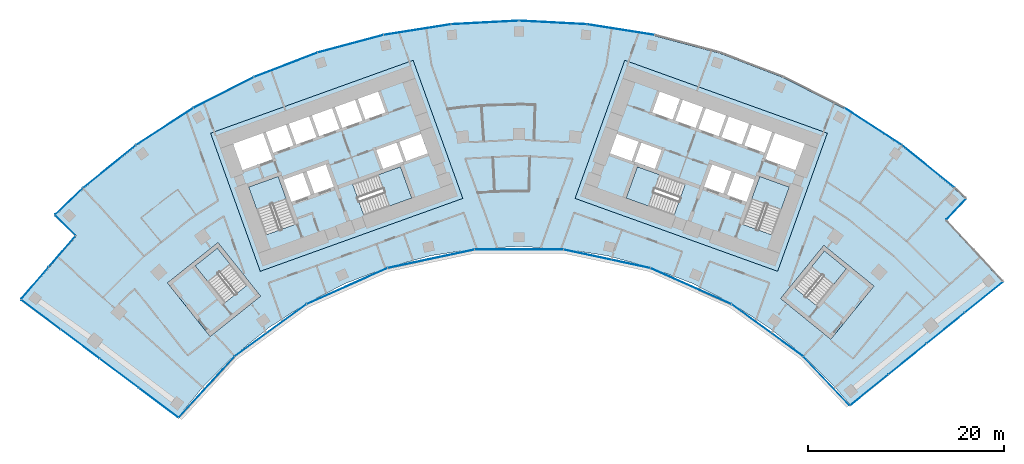
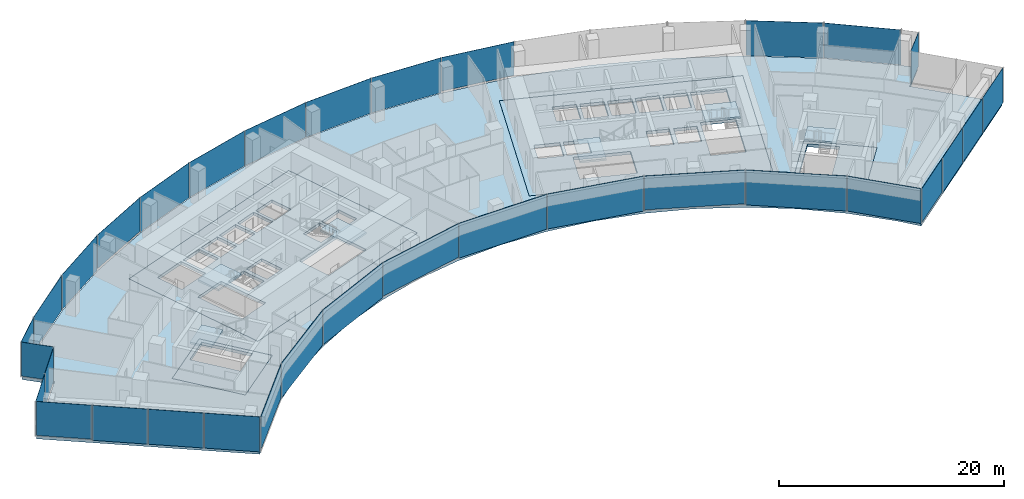
# One storey, part 11 of 21: 33 plates, 11 slabs, 13 elements without a shape of their own.
"""IFC4 building model written with IfcOpenShell, lengths in metres."""

import ifcopenshell
import ifcopenshell.guid

model = None  # the IFC model being written
_history = None  # IfcOwnerHistory: only IFC2X3 demands one
_inside = {}  # id of a spatial element -> (the spatial element, [elements in it])
_under = {}  # id of a project, library or spatial element -> (it, [spatial elements below it])
_declared = {}  # id of a project -> (the project, [libraries it declares])
_typed = {}  # id of a type object -> (the type object, [elements of that type])
_made_of = {}  # id of a material, layer set ... -> (it, [elements and type objects made of it])


def new_model(schema):
    """Start an empty IFC model of exactly this schema.

    Asked for "IFC4X3", IfcOpenShell would pick the latest addendum, in which some entities
    have other attributes; the version numbers below select the first issue.
    IFC2X3 requires an IfcOwnerHistory on every rooted entity: one is made here for all.
    """
    global model, _history
    if schema == "IFC4X3":
        model = ifcopenshell.file(schema_version=(4, 3, 0, 0))
    else:
        model = ifcopenshell.file(schema=schema)
    _inside.clear()
    _under.clear()
    _declared.clear()
    _typed.clear()
    _made_of.clear()
    _history = None
    if model.schema == "IFC2X3":
        org = make("IfcOrganization", Name="unknown")
        user = make(
            "IfcPersonAndOrganization",
            ThePerson=make("IfcPerson", FamilyName="unknown"),
            TheOrganization=org,
        )
        app = make(
            "IfcApplication",
            ApplicationDeveloper=org,
            Version="unknown",
            ApplicationFullName="unknown",
            ApplicationIdentifier="unknown",
        )
        _history = make(
            "IfcOwnerHistory",
            OwningUser=user,
            OwningApplication=app,
            ChangeAction="ADDED",
            CreationDate=0,
        )
    return model


def make(cls, **values):
    """One entity of the class cls with the attributes given. An attribute that is None is left unset."""
    return model.create_entity(
        cls, **{name: value for name, value in values.items() if value is not None}
    )


def rooted(cls, **values):
    """An entity with a GlobalId (a new one), such as an element, a storey or a relation."""
    return make(cls, GlobalId=ifcopenshell.guid.new(), OwnerHistory=_history, **values)


def si_unit(unit_type, name, prefix=None):
    """IfcSIUnit, for example si_unit("LENGTHUNIT", "METRE", prefix="MILLI")."""
    return make("IfcSIUnit", UnitType=unit_type, Prefix=prefix, Name=name)


def assignment(units):
    """IfcUnitAssignment: the units of a project."""
    return None if units is None else make("IfcUnitAssignment", Units=units)


def point(xyz):
    """IfcCartesianPoint."""
    return None if xyz is None else make("IfcCartesianPoint", Coordinates=xyz)


def direction(xyz):
    """IfcDirection."""
    return None if xyz is None else make("IfcDirection", DirectionRatios=xyz)


def frame(location, z_axis=None, x_axis=None):
    """IfcAxis2Placement3D, a coordinate frame: its origin and axes. An axis left out is left unset."""
    return make(
        "IfcAxis2Placement3D",
        Location=point(location),
        Axis=direction(z_axis),
        RefDirection=direction(x_axis),
    )


def frame_2d(location, x_axis=None):
    """IfcAxis2Placement2D, a coordinate frame in the plane: its origin and x axis."""
    return make(
        "IfcAxis2Placement2D", Location=point(location), RefDirection=direction(x_axis)
    )


def origin():
    """The frame at (0, 0, 0) with its axes left unset."""
    return frame((0.0, 0.0, 0.0))


def origin_2d():
    """The frame at (0, 0) in the plane with its x axis left unset."""
    return frame_2d((0.0, 0.0))


def place(relative_to, where):
    """IfcLocalPlacement: puts the frame where relative to a parent placement (None: the world)."""
    return make(
        "IfcLocalPlacement", PlacementRelTo=relative_to, RelativePlacement=where
    )


def context(
    kind, dimensions, precision=None, world=None, true_north=None, identifier=None
):
    """IfcGeometricRepresentationContext, for example the 3D "Model" context."""
    return make(
        "IfcGeometricRepresentationContext",
        ContextIdentifier=identifier,
        ContextType=kind,
        CoordinateSpaceDimension=dimensions,
        Precision=precision,
        WorldCoordinateSystem=world,
        TrueNorth=true_north,
    )


def subcontext(parent, identifier, kind, view, scale=None):
    """IfcGeometricRepresentationSubContext, for example "Body" below "Model"."""
    return make(
        "IfcGeometricRepresentationSubContext",
        ContextIdentifier=identifier,
        ContextType=kind,
        ParentContext=parent,
        TargetScale=scale,
        TargetView=view,
    )


def project(units=None, contexts=None):
    """IfcProject with its units and contexts."""
    return rooted(
        "IfcProject",
        Name="project",
        RepresentationContexts=contexts,
        UnitsInContext=assignment(units),
    )


def spatial(cls, under=None, at=None, **own):
    """A site, building, storey or space (cls), placed at a placement, below another one or the project."""
    s = rooted(cls, ObjectPlacement=at, **own)
    if under is not None:
        _under.setdefault(under.id(), (under, []))[1].append(s)
    return s


def polyline(points):
    """IfcPolyline through the points."""
    return make("IfcPolyline", Points=[point(p) for p in points])


def profile(cls, at=None, kind="AREA", **sizes):
    """A parametric profile (cls). Its sizes go by their IFC names, for example OverallWidth=200.0."""
    return make(cls, ProfileType=kind, Position=at, **sizes)


def rectangle(**sizes):
    """IfcRectangleProfileDef."""
    return profile("IfcRectangleProfileDef", **sizes)


def outline(outer, holes=None, kind="AREA"):
    """IfcArbitraryClosedProfileDef: a profile drawn as a closed curve; with holes, ...WithVoids."""
    if holes is None:
        return make("IfcArbitraryClosedProfileDef", ProfileType=kind, OuterCurve=outer)
    return make(
        "IfcArbitraryProfileDefWithVoids",
        ProfileType=kind,
        OuterCurve=outer,
        InnerCurves=holes,
    )


def extrude(swept, where, along, depth):
    """IfcExtrudedAreaSolid: the profile swept, set in the frame where, extruded along a direction by depth."""
    return make(
        "IfcExtrudedAreaSolid",
        SweptArea=swept,
        Position=where,
        ExtrudedDirection=direction(along),
        Depth=depth,
    )


def shape(context_of_items, identifier, shape_type, items):
    """IfcShapeRepresentation: the items that make up one representation, for example the "Body"."""
    return make(
        "IfcShapeRepresentation",
        ContextOfItems=context_of_items,
        RepresentationIdentifier=identifier,
        RepresentationType=shape_type,
        Items=items,
    )


def material(Name=None, Category=None):
    """IfcMaterial."""
    return make("IfcMaterial", Name=Name, Category=Category)


def layer(
    of_material, thickness, ventilated=None, Name=None, Category=None, Priority=None
):
    """IfcMaterialLayer: one layer of a wall or slab, of a material (None: an air gap)."""
    return make(
        "IfcMaterialLayer",
        Material=of_material,
        LayerThickness=thickness,
        IsVentilated=ventilated,
        Name=Name,
        Category=Category,
        Priority=Priority,
    )


def layer_set(layers, Name=None):
    """IfcMaterialLayerSet."""
    return make("IfcMaterialLayerSet", MaterialLayers=layers, LayerSetName=Name)


def made_of(thing, what):
    """Note that an element or type object is made of a material, layer set ...; save() writes the relation."""
    if what is not None:
        _made_of.setdefault(what.id(), (what, []))[1].append(thing)
    return thing


def type_object(cls, material=None, **own):
    """A type object (cls), such as IfcWallType, which elements share."""
    return made_of(rooted(cls, **own), material)


def element(
    cls,
    number,
    at=None,
    inside=None,
    cuts=None,
    type_object=None,
    material=None,
    context=None,
    identifier="Body",
    shape_type=None,
    held_by="IfcProductDefinitionShape",
    body=None,
    shapes=None,
    **own,
):
    """One element of the class cls, such as IfcWall. Its Tag is "e" and its number.

    at: its placement. inside: the storey or other place that contains it. cuts: it is an
    opening in that element (IfcRelVoidsElement). A single representation is given by context,
    identifier, shape_type and body (its items); several are given by shapes. held_by: the class
    of the entity that holds the representations. save() writes the other relations.
    """
    e = rooted(cls, Tag="e%d" % number, ObjectPlacement=at, **own)
    if body is not None:
        shapes = [shape(context, identifier, shape_type, body)]
    if shapes is not None:
        e.Representation = make(held_by, Representations=shapes)
    if inside is not None:
        _inside.setdefault(inside.id(), (inside, []))[1].append(e)
    if cuts is not None:
        rooted(
            "IfcRelVoidsElement", RelatingBuildingElement=cuts, RelatedOpeningElement=e
        )
    if type_object is not None:
        _typed.setdefault(type_object.id(), (type_object, []))[1].append(e)
    return made_of(e, material)


def aggregate(whole, parts):
    """IfcRelAggregates: a whole, such as a stair, and the parts it consists of."""
    return rooted("IfcRelAggregates", RelatingObject=whole, RelatedObjects=parts)


def save(model, path):
    """Write the relations noted so far, then the file.

    IfcRelAggregates (storeys below a building ...), IfcRelContainedInSpatialStructure (elements
    in a storey), IfcRelDefinesByType, IfcRelAssociatesMaterial and IfcRelDeclares: one each for
    every whole, place, type object, material and project.
    """
    for whole, parts in _under.values():
        aggregate(whole, parts)
    for where, things in _inside.values():
        rooted(
            "IfcRelContainedInSpatialStructure",
            RelatedElements=things,
            RelatingStructure=where,
        )
    for kind, things in _typed.values():
        rooted("IfcRelDefinesByType", RelatedObjects=things, RelatingType=kind)
    for what, things in _made_of.values():
        rooted("IfcRelAssociatesMaterial", RelatedObjects=things, RelatingMaterial=what)
    for by, libraries in _declared.values():
        rooted("IfcRelDeclares", RelatingContext=by, RelatedDefinitions=libraries)
    model.write(path)


model = new_model("IFC4")

# Units and contexts
model_context = context("Model", 3, precision=1e-05, world=origin(), true_north=direction((0.0, 1.0)))
body_context = subcontext(model_context, "Body", "Model", "MODEL_VIEW")
ifc_project = project(units=[si_unit("LENGTHUNIT", "METRE"), si_unit("AREAUNIT", "SQUARE_METRE"), si_unit("VOLUMEUNIT", "CUBIC_METRE"), si_unit("PLANEANGLEUNIT", "RADIAN"), si_unit("MASSUNIT", "GRAM", prefix="KILO")], contexts=[model_context])

# Site, building, storey
site_placement = place(None, origin())
site = spatial("IfcSite", under=ifc_project, at=site_placement, CompositionType="ELEMENT")
building_placement = place(site_placement, origin())
building = spatial("IfcBuilding", under=site, at=building_placement, Name="Stone Belt Terrace Tower", CompositionType="ELEMENT")
storey_placement = place(building_placement, frame((0.0, 0.0, 163.0)))
storey = spatial("IfcBuildingStorey", under=building, at=storey_placement, Name="L39", CompositionType="ELEMENT", Elevation=163.0)

# Curtain wall, plates
ifc_material_1 = material(Name="Aluminium 6063-T6 anodised frame", Category="aluminium")
ifc_layer_1 = layer(ifc_material_1, 0.14990234375)
ifc_layer_set_1 = layer_set([ifc_layer_1], Name="CW-A unitised convex-face curtain wall")
curtain_wall_type_1 = type_object("IfcCurtainWallType", Name="CW-A unitised convex-face curtain wall", PredefinedType="NOTDEFINED", material=ifc_layer_set_1)
curtain_wall_1_placement = place(storey_placement, origin())
curtain_wall_1 = element("IfcCurtainWall", 1, at=curtain_wall_1_placement, inside=storey, type_object=curtain_wall_type_1, Name="CW-A convex face L39", PredefinedType="NOTDEFINED")
ifc_material_2 = material(Name="Clear double glazed unit")
ifc_layer_2 = layer(ifc_material_2, 0.031982421875)
ifc_layer_set_2 = layer_set([ifc_layer_2], Name="CW-A glass panel 32")
plate_type_1 = type_object("IfcPlateType", Name="CW-A glass panel 32", PredefinedType="CURTAIN_PANEL", material=ifc_layer_set_2)
plate_1_placement = place(storey_placement, frame((41.839599609375, 51.667724609375, 0.0), z_axis=(0.0, 0.0, 1.0), x_axis=(-0.777145961457, 0.62932039105, 0.0)))
plate_1 = element("IfcPlate", 2, at=plate_1_placement, type_object=plate_type_1, Name="CW-A panel 2.1", PredefinedType="CURTAIN_PANEL", context=body_context, shape_type="SweptSolid", body=[
    extrude(rectangle(XDim=6.900634765625, YDim=0.031982421875, at=origin_2d()), origin(), (0.0, 0.0, 1.0), 3.800048828125),
])
plate_2_placement = place(storey_placement, frame((36.209716796875, 55.758056640625, 0.0), z_axis=(0.0, 0.0, 1.0), x_axis=(-0.838670567945, 0.544639035015, 0.0)))
plate_2 = element("IfcPlate", 3, at=plate_2_placement, type_object=plate_type_1, Name="CW-A panel 3.1", PredefinedType="CURTAIN_PANEL", context=body_context, shape_type="SweptSolid", body=[
    extrude(rectangle(XDim=6.90087890625, YDim=0.031982421875, at=origin_2d()), origin(), (0.0, 0.0, 1.0), 3.800048828125),
])
plate_3_placement = place(storey_placement, frame((10.400390625, 65.665283203125, 0.14013671875), z_axis=(0.0, 0.0, 1.0), x_axis=(-0.987688340595, 0.15643446504, 0.0)))
plate_3 = element("IfcPlate", 4, at=plate_3_placement, type_object=plate_type_1, Name="CW-A panel 7.1", PredefinedType="CURTAIN_PANEL", context=body_context, shape_type="SweptSolid", body=[
    extrude(rectangle(XDim=6.90087890625, YDim=0.031982421875, at=origin_2d()), origin(), (0.0, 0.0, 1.0), 3.659912109375),
])
plate_4_placement = place(storey_placement, frame((3.4794921875, 66.392822265625, 0.0), z_axis=(0.0, 0.0, 1.0), x_axis=(-0.998629534755, 0.052335956243, 0.0)))
plate_4 = element("IfcPlate", 5, at=plate_4_placement, type_object=plate_type_1, Name="CW-A panel 8.1", PredefinedType="CURTAIN_PANEL", context=body_context, shape_type="SweptSolid", body=[
    extrude(rectangle(XDim=6.90087890625, YDim=0.031982421875, at=origin_2d()), origin(), (0.0, 0.0, 1.0), 3.800048828125),
])
plate_5_placement = place(storey_placement, frame((-3.4794921875, 66.392822265625, 0.0), z_axis=(0.0, 0.0, 1.0), x_axis=(-0.998629534755, -0.052335956243, 0.0)))
plate_5 = element("IfcPlate", 6, at=plate_5_placement, type_object=plate_type_1, Name="CW-A panel 9.1", PredefinedType="CURTAIN_PANEL", context=body_context, shape_type="SweptSolid", body=[
    extrude(rectangle(XDim=6.90087890625, YDim=0.031982421875, at=origin_2d()), origin(), (0.0, 0.0, 1.0), 3.800048828125),
])
plate_6_placement = place(storey_placement, frame((-10.400390625, 65.665283203125, 0.0), z_axis=(0.0, 0.0, 1.0), x_axis=(-0.987688340595, -0.15643446504, 0.0)))
plate_6 = element("IfcPlate", 7, at=plate_6_placement, type_object=plate_type_1, Name="CW-A panel 10.1", PredefinedType="CURTAIN_PANEL", context=body_context, shape_type="SweptSolid", body=[
    extrude(rectangle(XDim=6.90087890625, YDim=0.031982421875, at=origin_2d()), origin(), (0.0, 0.0, 1.0), 3.800048828125),
])
plate_7_placement = place(storey_placement, frame((-17.207275390625, 64.218505859375, 0.0), z_axis=(0.0, 0.0, 1.0), x_axis=(-0.965925826289, -0.258819045103, 0.0)))
plate_7 = element("IfcPlate", 8, at=plate_7_placement, type_object=plate_type_1, Name="CW-A panel 11.1", PredefinedType="CURTAIN_PANEL", context=body_context, shape_type="SweptSolid", body=[
    extrude(rectangle(XDim=6.90087890625, YDim=0.031982421875, at=origin_2d()), origin(), (0.0, 0.0, 1.0), 3.800048828125),
])
plate_8_placement = place(storey_placement, frame((-23.82568359375, 62.068115234375, 0.0), z_axis=(0.0, 0.0, 1.0), x_axis=(-0.933580426497, -0.358367949545, 0.0)))
plate_8 = element("IfcPlate", 9, at=plate_8_placement, type_object=plate_type_1, Name="CW-A panel 12.1", PredefinedType="CURTAIN_PANEL", context=body_context, shape_type="SweptSolid", body=[
    extrude(rectangle(XDim=6.90087890625, YDim=0.031982421875, at=origin_2d()), origin(), (0.0, 0.0, 1.0), 3.800048828125),
])
plate_9_placement = place(storey_placement, frame((-30.18310546875, 59.237548828125, 0.14013671875), z_axis=(0.0, 0.0, 1.0), x_axis=(-0.891006524188, -0.45399049974, 0.0)))
plate_9 = element("IfcPlate", 10, at=plate_9_placement, type_object=plate_type_1, Name="CW-A panel 13.1", PredefinedType="CURTAIN_PANEL", context=body_context, shape_type="SweptSolid", body=[
    extrude(rectangle(XDim=6.90087890625, YDim=0.031982421875, at=origin_2d()), origin(), (0.0, 0.0, 1.0), 3.659912109375),
])
plate_10_placement = place(storey_placement, frame((-36.209716796875, 55.758056640625, 0.0), z_axis=(0.0, 0.0, 1.0), x_axis=(-0.838670567945, -0.544639035015, 0.0)))
plate_10 = element("IfcPlate", 11, at=plate_10_placement, type_object=plate_type_1, Name="CW-A panel 14.1", PredefinedType="CURTAIN_PANEL", context=body_context, shape_type="SweptSolid", body=[
    extrude(rectangle(XDim=6.90087890625, YDim=0.031982421875, at=origin_2d()), origin(), (0.0, 0.0, 1.0), 3.800048828125),
])
plate_11_placement = place(storey_placement, frame((-41.839599609375, 51.667724609375, 0.0), z_axis=(0.0, 0.0, 1.0), x_axis=(-0.777145961457, -0.62932039105, 0.0)))
plate_11 = element("IfcPlate", 12, at=plate_11_placement, type_object=plate_type_1, Name="CW-A panel 15.1", PredefinedType="CURTAIN_PANEL", context=body_context, shape_type="SweptSolid", body=[
    extrude(rectangle(XDim=6.900634765625, YDim=0.031982421875, at=origin_2d()), origin(), (0.0, 0.0, 1.0), 3.800048828125),
])
plate_12_placement = place(storey_placement, frame((-45.9765625, 48.109619140625, 0.0), z_axis=(0.0, 0.0, 1.0), x_axis=(-0.723120883539, -0.690721497993, 0.0)))
plate_12 = element("IfcPlate", 13, at=plate_12_placement, type_object=plate_type_1, Name="CW-A panel 16.1", PredefinedType="CURTAIN_PANEL", context=body_context, shape_type="SweptSolid", body=[
    extrude(rectangle(XDim=3.888671875, YDim=0.031982421875, at=origin_2d()), origin(), (0.0, 0.0, 1.0), 3.800048828125),
])
aggregate(curtain_wall_1, [plate_1, plate_2, plate_3, plate_4, plate_5, plate_6, plate_7, plate_8, plate_9, plate_10, plate_11, plate_12])

ifc_layer_3 = layer(ifc_material_1, 0.14990234375)
ifc_layer_set_3 = layer_set([ifc_layer_3], Name="CW-B unitised concave-face curtain wall")
curtain_wall_type_2 = type_object("IfcCurtainWallType", Name="CW-B unitised concave-face curtain wall", PredefinedType="NOTDEFINED", material=ifc_layer_set_3)
curtain_wall_2_placement = place(storey_placement, origin())
curtain_wall_2 = element("IfcCurtainWall", 14, at=curtain_wall_2_placement, inside=storey, type_object=curtain_wall_type_2, Name="CW-B concave face L39", PredefinedType="NOTDEFINED")
ifc_layer_4 = layer(ifc_material_2, 0.030029296875)
ifc_layer_set_4 = layer_set([ifc_layer_4], Name="CW-B glass panel 30")
plate_type_2 = type_object("IfcPlateType", Name="CW-B glass panel 30", PredefinedType="CURTAIN_PANEL", material=ifc_layer_set_4)
plate_13_placement = place(storey_placement, frame((-31.9111328125, 29.148681640625, 0.1201171875), z_axis=(0.0, 0.0, 1.0), x_axis=(0.674760998748, 0.73803630979, 0.0)))
plate_13 = element("IfcPlate", 15, at=plate_13_placement, type_object=plate_type_2, Name="CW-B panel 1.1", PredefinedType="CURTAIN_PANEL", context=body_context, shape_type="SweptSolid", body=[
    extrude(rectangle(XDim=8.39501953125, YDim=0.030029296875, at=origin_2d()), origin(), (0.0, 0.0, 1.0), 3.679931640625),
])
plate_14_placement = place(storey_placement, frame((-25.384765625, 34.938720703125, 0.0), z_axis=(0.0, 0.0, 1.0), x_axis=(0.809016994375, 0.587785252292, 0.0)))
plate_14 = element("IfcPlate", 16, at=plate_14_placement, type_object=plate_type_2, Name="CW-B panel 2.1", PredefinedType="CURTAIN_PANEL", context=body_context, shape_type="SweptSolid", body=[
    extrude(rectangle(XDim=9.013427734375, YDim=0.030029296875, at=origin_2d()), origin(), (0.0, 0.0, 1.0), 3.800048828125),
])
plate_15_placement = place(storey_placement, frame((-17.565673828125, 39.453125, 0.0), z_axis=(0.0, 0.0, 1.0), x_axis=(0.913545457643, 0.406736643076, 0.0)))
plate_15 = element("IfcPlate", 17, at=plate_15_placement, type_object=plate_type_2, Name="CW-B panel 3.1", PredefinedType="CURTAIN_PANEL", context=body_context, shape_type="SweptSolid", body=[
    extrude(rectangle(XDim=9.0126953125, YDim=0.030029296875, at=origin_2d()), origin(), (0.0, 0.0, 1.0), 3.800048828125),
])
plate_16_placement = place(storey_placement, frame((-8.97900390625, 42.242919921875, 0.1201171875), z_axis=(0.0, 0.0, 1.0), x_axis=(0.978147600734, 0.207911690818, 0.0)))
plate_16 = element("IfcPlate", 18, at=plate_16_placement, type_object=plate_type_2, Name="CW-B panel 4.1", PredefinedType="CURTAIN_PANEL", context=body_context, shape_type="SweptSolid", body=[
    extrude(rectangle(XDim=9.0126953125, YDim=0.030029296875, at=origin_2d()), origin(), (0.0, 0.0, 1.0), 3.679931640625),
])
plate_17_placement = place(storey_placement, frame((0.0, 43.186767578125, 0.0), z_axis=(0.0, 0.0, 1.0), x_axis=(1.0, 0.0, 0.0)))
plate_17 = element("IfcPlate", 19, at=plate_17_placement, type_object=plate_type_2, Name="CW-B panel 5.1", PredefinedType="CURTAIN_PANEL", context=body_context, shape_type="SweptSolid", body=[
    extrude(rectangle(XDim=9.0126953125, YDim=0.030029296875, at=origin_2d()), origin(), (0.0, 0.0, 1.0), 3.800048828125),
])
plate_18_placement = place(storey_placement, frame((8.97900390625, 42.242919921875, 0.0), z_axis=(0.0, 0.0, 1.0), x_axis=(0.978147600734, -0.207911690818, 0.0)))
plate_18 = element("IfcPlate", 20, at=plate_18_placement, type_object=plate_type_2, Name="CW-B panel 6.1", PredefinedType="CURTAIN_PANEL", context=body_context, shape_type="SweptSolid", body=[
    extrude(rectangle(XDim=9.0126953125, YDim=0.030029296875, at=origin_2d()), origin(), (0.0, 0.0, 1.0), 3.800048828125),
])
plate_19_placement = place(storey_placement, frame((17.565673828125, 39.453125, 0.1201171875), z_axis=(0.0, 0.0, 1.0), x_axis=(0.913545457643, -0.406736643076, 0.0)))
plate_19 = element("IfcPlate", 21, at=plate_19_placement, type_object=plate_type_2, Name="CW-B panel 7.1", PredefinedType="CURTAIN_PANEL", context=body_context, shape_type="SweptSolid", body=[
    extrude(rectangle(XDim=9.0126953125, YDim=0.030029296875, at=origin_2d()), origin(), (0.0, 0.0, 1.0), 3.679931640625),
])
plate_20_placement = place(storey_placement, frame((25.38525390625, 34.938232421875, 0.0), z_axis=(0.0, 0.0, 1.0), x_axis=(0.809016994375, -0.587785252292, 0.0)))
plate_20 = element("IfcPlate", 22, at=plate_20_placement, type_object=plate_type_2, Name="CW-B panel 8.1", PredefinedType="CURTAIN_PANEL", context=body_context, shape_type="SweptSolid", body=[
    extrude(rectangle(XDim=9.0146484375, YDim=0.030029296875, at=origin_2d()), origin(), (0.0, 0.0, 1.0), 3.800048828125),
])
plate_21_placement = place(storey_placement, frame((31.42626953125, 29.77197265625, 0.0), z_axis=(0.0, 0.0, 1.0), x_axis=(0.688067573759, -0.725646617811, 0.0)))
plate_21 = element("IfcPlate", 23, at=plate_21_placement, type_object=plate_type_2, Name="CW-B panel 9.1", PredefinedType="CURTAIN_PANEL", context=body_context, shape_type="SweptSolid", body=[
    extrude(rectangle(XDim=6.821533203125, YDim=0.030029296875, at=origin_2d()), origin(), (0.0, 0.0, 1.0), 3.800048828125),
])
aggregate(curtain_wall_2, [plate_13, plate_14, plate_15, plate_16, plate_17, plate_18, plate_19, plate_20, plate_21])

ifc_layer_5 = layer(ifc_material_1, 0.14990234375)
ifc_layer_set_5 = layer_set([ifc_layer_5], Name="CW-C stick curtain wall, horn ends and notches")
curtain_wall_type_3 = type_object("IfcCurtainWallType", Name="CW-C stick curtain wall, horn ends and notches", PredefinedType="NOTDEFINED", material=ifc_layer_set_5)
curtain_wall_3_placement = place(storey_placement, origin())
curtain_wall_3 = element("IfcCurtainWall", 24, at=curtain_wall_3_placement, inside=storey, type_object=curtain_wall_type_3, Name="CW-C end face L39", PredefinedType="NOTDEFINED")
ifc_layer_6 = layer(ifc_material_2, 0.028076171875)
ifc_layer_set_6 = layer_set([ifc_layer_6], Name="CW-C glass panel 28")
plate_type_3 = type_object("IfcPlateType", Name="CW-C glass panel 28", PredefinedType="CURTAIN_PANEL", material=ifc_layer_set_6)
plate_22_placement = place(storey_placement, frame((35.80859375, 28.853759765625, 0.1201171875), z_axis=(0.0, 0.0, 1.0), x_axis=(0.777643619096, 0.628705337721, 0.0)))
plate_22 = element("IfcPlate", 25, at=plate_22_placement, type_object=plate_type_3, Name="CW-C panel 1.1", PredefinedType="CURTAIN_PANEL", context=body_context, shape_type="SweptSolid", body=[
    extrude(rectangle(XDim=4.96630859375, YDim=0.028076171875, at=origin_2d()), origin(), (0.0, 0.0, 1.0), 3.679931640625),
])
plate_23_placement = place(storey_placement, frame((39.70703125, 32.005615234375, 0.0), z_axis=(0.0, 0.0, 1.0), x_axis=(0.777643619096, 0.628705337721, 0.0)))
plate_23 = element("IfcPlate", 26, at=plate_23_placement, type_object=plate_type_3, Name="CW-C panel 2.1", PredefinedType="CURTAIN_PANEL", context=body_context, shape_type="SweptSolid", body=[
    extrude(rectangle(XDim=4.93994140625, YDim=0.028076171875, at=origin_2d()), origin(), (0.0, 0.0, 1.0), 3.800048828125),
])
plate_24_placement = place(storey_placement, frame((43.59521484375, 35.149169921875, 0.0), z_axis=(0.0, 0.0, 1.0), x_axis=(0.777643619096, 0.628705337721, 0.0)))
plate_24 = element("IfcPlate", 27, at=plate_24_placement, type_object=plate_type_3, Name="CW-C panel 3.1", PredefinedType="CURTAIN_PANEL", context=body_context, shape_type="SweptSolid", body=[
    extrude(rectangle(XDim=4.93994140625, YDim=0.028076171875, at=origin_2d()), origin(), (0.0, 0.0, 1.0), 3.800048828125),
])
plate_25_placement = place(storey_placement, frame((47.4970703125, 38.3037109375, 0.0), z_axis=(0.0, 0.0, 1.0), x_axis=(0.777643619096, 0.628705337721, 0.0)))
plate_25 = element("IfcPlate", 28, at=plate_25_placement, type_object=plate_type_3, Name="CW-C panel 4.1", PredefinedType="CURTAIN_PANEL", context=body_context, shape_type="SweptSolid", body=[
    extrude(rectangle(XDim=4.974853515625, YDim=0.028076171875, at=origin_2d()), origin(), (0.0, 0.0, 1.0), 3.800048828125),
])
aggregate(curtain_wall_3, [plate_22, plate_23, plate_24, plate_25])

# Curtain wall, plate
curtain_wall_4_placement = place(storey_placement, origin())
curtain_wall_4 = element("IfcCurtainWall", 29, at=curtain_wall_4_placement, inside=storey, type_object=curtain_wall_type_3, Name="CW-C notch face L39", PredefinedType="NOTDEFINED")
plate_26_placement = place(storey_placement, frame((44.675048828125, 47.3134765625, 0.1201171875), z_axis=(0.0, 0.0, 1.0), x_axis=(0.685704214398, 0.72788029947, 0.0)))
plate_26 = element("IfcPlate", 30, at=plate_26_placement, type_object=plate_type_3, Name="CW-C panel 1.1", PredefinedType="CURTAIN_PANEL", context=body_context, shape_type="SweptSolid", body=[
    extrude(rectangle(XDim=2.858154296875, YDim=0.028076171875, at=origin_2d()), origin(), (0.0, 0.0, 1.0), 3.679931640625),
])
aggregate(curtain_wall_4, [plate_26])

curtain_wall_5_placement = place(storey_placement, origin())
curtain_wall_5 = element("IfcCurtainWall", 31, at=curtain_wall_5_placement, inside=storey, type_object=curtain_wall_type_3, Name="CW-C notch face L39", PredefinedType="NOTDEFINED")
plate_27_placement = place(storey_placement, frame((-46.365966796875, 45.658447265625, 0.1201171875), z_axis=(0.0, 0.0, 1.0), x_axis=(0.711713447851, -0.702469905511, 0.0)))
plate_27 = element("IfcPlate", 32, at=plate_27_placement, type_object=plate_type_3, Name="CW-C panel 1.1", PredefinedType="CURTAIN_PANEL", context=body_context, shape_type="SweptSolid", body=[
    extrude(rectangle(XDim=2.859375, YDim=0.028076171875, at=origin_2d()), origin(), (0.0, 0.0, 1.0), 3.679931640625),
])
aggregate(curtain_wall_5, [plate_27])

# Curtain wall, plates
curtain_wall_6_placement = place(storey_placement, origin())
curtain_wall_6 = element("IfcCurtainWall", 33, at=curtain_wall_6_placement, inside=storey, type_object=curtain_wall_type_3, Name="CW-C notch face L39", PredefinedType="NOTDEFINED")
plate_28_placement = place(storey_placement, frame((-46.68896484375, 42.986572265625, 0.1201171875), z_axis=(0.0, 0.0, 1.0), x_axis=(-0.652737860281, -0.757583847343, 0.0)))
plate_28 = element("IfcPlate", 34, at=plate_28_placement, type_object=plate_type_3, Name="CW-C panel 1.1", PredefinedType="CURTAIN_PANEL", context=body_context, shape_type="SweptSolid", body=[
    extrude(rectangle(XDim=4.12060546875, YDim=0.028076171875, at=origin_2d()), origin(), (0.0, 0.0, 1.0), 3.679931640625),
])
plate_29_placement = place(storey_placement, frame((-49.466064453125, 39.76318359375, 0.0), z_axis=(0.0, 0.0, 1.0), x_axis=(-0.652737860281, -0.757583847343, 0.0)))
plate_29 = element("IfcPlate", 35, at=plate_29_placement, type_object=plate_type_3, Name="CW-C panel 2.1", PredefinedType="CURTAIN_PANEL", context=body_context, shape_type="SweptSolid", body=[
    extrude(rectangle(XDim=4.268798828125, YDim=0.028076171875, at=origin_2d()), origin(), (0.0, 0.0, 1.0), 3.800048828125),
])
aggregate(curtain_wall_6, [plate_28, plate_29])

curtain_wall_7_placement = place(storey_placement, origin())
curtain_wall_7 = element("IfcCurtainWall", 36, at=curtain_wall_7_placement, inside=storey, type_object=curtain_wall_type_3, Name="CW-C end face L39", PredefinedType="NOTDEFINED")
plate_30_placement = place(storey_placement, frame((-48.858154296875, 36.551513671875, 0.1201171875), z_axis=(0.0, 0.0, 1.0), x_axis=(0.799986505357, -0.600017992436, 0.0)))
plate_30 = element("IfcPlate", 37, at=plate_30_placement, type_object=plate_type_3, Name="CW-C panel 1.1", PredefinedType="CURTAIN_PANEL", context=body_context, shape_type="SweptSolid", body=[
    extrude(rectangle(XDim=4.974853515625, YDim=0.028076171875, at=origin_2d()), origin(), (0.0, 0.0, 1.0), 3.679931640625),
])
plate_31_placement = place(storey_placement, frame((-44.84423828125, 33.541015625, 0.0), z_axis=(0.0, 0.0, 1.0), x_axis=(0.799986505357, -0.600017992436, 0.0)))
plate_31 = element("IfcPlate", 38, at=plate_31_placement, type_object=plate_type_3, Name="CW-C panel 2.1", PredefinedType="CURTAIN_PANEL", context=body_context, shape_type="SweptSolid", body=[
    extrude(rectangle(XDim=4.93994140625, YDim=0.028076171875, at=origin_2d()), origin(), (0.0, 0.0, 1.0), 3.800048828125),
])
plate_32_placement = place(storey_placement, frame((-40.84423828125, 30.541015625, 0.0), z_axis=(0.0, 0.0, 1.0), x_axis=(0.799986505357, -0.600017992436, 0.0)))
plate_32 = element("IfcPlate", 39, at=plate_32_placement, type_object=plate_type_3, Name="CW-C panel 3.1", PredefinedType="CURTAIN_PANEL", context=body_context, shape_type="SweptSolid", body=[
    extrude(rectangle(XDim=4.93994140625, YDim=0.028076171875, at=origin_2d()), origin(), (0.0, 0.0, 1.0), 3.800048828125),
])
plate_33_placement = place(storey_placement, frame((-36.834228515625, 27.533203125, 0.0), z_axis=(0.0, 0.0, 1.0), x_axis=(0.799986505357, -0.600017992436, 0.0)))
plate_33 = element("IfcPlate", 40, at=plate_33_placement, type_object=plate_type_3, Name="CW-C panel 4.1", PredefinedType="CURTAIN_PANEL", context=body_context, shape_type="SweptSolid", body=[
    extrude(rectangle(XDim=4.96533203125, YDim=0.028076171875, at=origin_2d()), origin(), (0.0, 0.0, 1.0), 3.800048828125),
])
aggregate(curtain_wall_7, [plate_30, plate_31, plate_32, plate_33])

# Slabs
ifc_material_3 = material(Name="Concrete B40", Category="concrete")
ifc_layer_7 = layer(ifc_material_3, 0.320068359375)
ifc_layer_set_7 = layer_set([ifc_layer_7], Name="Core floor slab 320")
slab_type_1 = type_object("IfcSlabType", Name="Core floor slab 320", PredefinedType="FLOOR", material=ifc_layer_set_7)
slab_1_placement = place(storey_placement, frame((0.0, 0.0, -0.320068359375)))
element("IfcSlab", 41, at=slab_1_placement, inside=storey, type_object=slab_type_1, Name="Core A floor L39", PredefinedType="FLOOR", context=body_context, shape_type="SweptSolid", body=[
    extrude(outline(polyline([(-26.43505859375, 40.968994140625), (-5.735107421875, 48.4189453125), (-10.81396484375, 62.531982421875), (-31.513916015625, 55.0830078125), (-26.43505859375, 40.968994140625)]), holes=[polyline([(-24.60791015625, 50.659912109375), (-22.847900390625, 45.76806640625), (-25.85888671875, 44.68408203125), (-27.618896484375, 49.575927734375), (-24.60791015625, 50.659912109375)]), polyline([(-21.27392578125, 48.778076171875), (-23.25, 48.06689453125), (-24.06298828125, 50.324951171875), (-22.0869140625, 51.035888671875), (-21.27392578125, 48.778076171875)]), polyline([(-18.922119140625, 49.6240234375), (-20.89794921875, 48.9130859375), (-21.7109375, 51.1708984375), (-19.735107421875, 51.883056640625), (-18.922119140625, 49.6240234375)]), polyline([(-28.24609375, 51.31689453125), (-29.2109375, 53.9990234375), (-26.153076171875, 55.09912109375), (-25.18798828125, 52.41796875), (-28.24609375, 51.31689453125)]), polyline([(-23.801025390625, 55.946044921875), (-23.0390625, 53.8291015625), (-25.10888671875, 53.083984375), (-25.87109375, 55.200927734375), (-23.801025390625, 55.946044921875)]), polyline([(-21.447998046875, 56.7919921875), (-20.68603515625, 54.675048828125), (-22.756103515625, 53.929931640625), (-23.51806640625, 56.047119140625), (-21.447998046875, 56.7919921875)]), polyline([(-10.955078125, 48.452880859375), (-15.846923828125, 46.69189453125), (-16.998046875, 49.89208984375), (-12.10595703125, 51.652099609375), (-10.955078125, 48.452880859375)]), polyline([(-11.847900390625, 52.116943359375), (-11.864990234375, 52.1640625), (-13.887939453125, 51.43603515625), (-14.58203125, 53.364990234375), (-12.511962890625, 54.110107421875), (-11.801025390625, 52.134033203125), (-11.847900390625, 52.116943359375)]), polyline([(-9.30810546875, 53.031005859375), (-11.51904296875, 52.235107421875), (-12.22998046875, 54.2109375), (-10.01904296875, 55.007080078125), (-9.30810546875, 53.031005859375)]), polyline([(-21.166015625, 56.89404296875), (-19.095947265625, 57.638916015625), (-18.333984375, 55.52197265625), (-20.404052734375, 54.777099609375), (-21.166015625, 56.89404296875)]), polyline([(-16.743896484375, 58.485107421875), (-15.98193359375, 56.367919921875), (-18.052001953125, 55.623046875), (-18.81396484375, 57.739990234375), (-16.743896484375, 58.485107421875)]), polyline([(-14.39111328125, 59.33203125), (-13.6298828125, 57.215087890625), (-15.699951171875, 56.469970703125), (-16.4609375, 58.5869140625), (-14.39111328125, 59.33203125)])]), origin(), (0.0, 0.0, 1.0), 0.320068359375),
])
slab_2_placement = place(storey_placement, frame((0.0, 0.0, -0.320068359375)))
element("IfcSlab", 42, at=slab_2_placement, inside=storey, type_object=slab_type_1, Name="Core B floor L39", PredefinedType="FLOOR", context=body_context, shape_type="SweptSolid", body=[
    extrude(outline(polyline([(26.43505859375, 40.968994140625), (31.513916015625, 55.0830078125), (10.81396484375, 62.531982421875), (5.735107421875, 48.4189453125), (26.43505859375, 40.968994140625)]), holes=[polyline([(12.10595703125, 51.652099609375), (16.998046875, 49.89208984375), (15.846923828125, 46.69189453125), (10.955078125, 48.452880859375), (12.10595703125, 51.652099609375)]), polyline([(12.511962890625, 54.110107421875), (14.58203125, 53.364990234375), (13.887939453125, 51.43603515625), (11.864990234375, 52.1640625), (11.847900390625, 52.116943359375), (11.801025390625, 52.134033203125), (12.511962890625, 54.110107421875)]), polyline([(9.30810546875, 53.031005859375), (10.01904296875, 55.007080078125), (12.22998046875, 54.2109375), (11.51904296875, 52.235107421875), (9.30810546875, 53.031005859375)]), polyline([(18.333984375, 55.52197265625), (19.095947265625, 57.638916015625), (21.166015625, 56.89404296875), (20.404052734375, 54.777099609375), (18.333984375, 55.52197265625)]), polyline([(16.743896484375, 58.485107421875), (18.81396484375, 57.739990234375), (18.052001953125, 55.623046875), (15.98193359375, 56.367919921875), (16.743896484375, 58.485107421875)]), polyline([(14.39111328125, 59.33203125), (16.4609375, 58.5869140625), (15.699951171875, 56.469970703125), (13.6298828125, 57.215087890625), (14.39111328125, 59.33203125)]), polyline([(27.618896484375, 49.575927734375), (25.85888671875, 44.68408203125), (22.847900390625, 45.76806640625), (24.60791015625, 50.659912109375), (27.618896484375, 49.575927734375)]), polyline([(21.27392578125, 48.778076171875), (22.0869140625, 51.035888671875), (24.06298828125, 50.324951171875), (23.25, 48.06689453125), (21.27392578125, 48.778076171875)]), polyline([(18.922119140625, 49.6240234375), (19.735107421875, 51.883056640625), (21.7109375, 51.1708984375), (20.89794921875, 48.9130859375), (18.922119140625, 49.6240234375)]), polyline([(26.153076171875, 55.09912109375), (29.2109375, 53.9990234375), (28.24609375, 51.31689453125), (25.18798828125, 52.41796875), (26.153076171875, 55.09912109375)]), polyline([(23.801025390625, 55.946044921875), (25.87109375, 55.200927734375), (25.10888671875, 53.083984375), (23.0390625, 53.8291015625), (23.801025390625, 55.946044921875)]), polyline([(21.447998046875, 56.7919921875), (23.51806640625, 56.047119140625), (22.756103515625, 53.929931640625), (20.68603515625, 54.675048828125), (21.447998046875, 56.7919921875)])]), origin(), (0.0, 0.0, 1.0), 0.320068359375),
])
slab_3_placement = place(storey_placement, frame((0.0, 0.0, -0.320068359375)))
element("IfcSlab", 43, at=slab_3_placement, inside=storey, type_object=slab_type_1, Name="Exit stair ST3A floor L39", PredefinedType="FLOOR", context=body_context, shape_type="SweptSolid", body=[
    extrude(outline(polyline([(-26.39404296875, 38.425048828125), (-30.756103515625, 43.89990234375), (-35.91796875, 39.787109375), (-31.555908203125, 34.31298828125), (-26.39404296875, 38.425048828125)]), holes=[polyline([(-27.798095703125, 39.544921875), (-30.06591796875, 37.738037109375), (-33.087890625, 41.531005859375), (-30.820068359375, 43.337890625), (-27.798095703125, 39.544921875)])]), origin(), (0.0, 0.0, 1.0), 0.320068359375),
])
slab_4_placement = place(storey_placement, frame((0.0, 0.0, -0.320068359375)))
element("IfcSlab", 44, at=slab_4_placement, inside=storey, type_object=slab_type_1, Name="Exit stair ST3B floor L39", PredefinedType="FLOOR", context=body_context, shape_type="SweptSolid", body=[
    extrude(outline(polyline([(26.741943359375, 38.18408203125), (31.866943359375, 34.02392578125), (36.278076171875, 39.458984375), (31.154052734375, 43.618896484375), (26.741943359375, 38.18408203125)]), holes=[polyline([(30.407958984375, 37.462890625), (28.156005859375, 39.291015625), (31.2119140625, 43.055908203125), (33.464111328125, 41.22802734375), (30.407958984375, 37.462890625)])]), origin(), (0.0, 0.0, 1.0), 0.320068359375),
])
ifc_layer_8 = layer(ifc_material_3, 0.320068359375)
ifc_layer_set_8 = layer_set([ifc_layer_8], Name="Floor slab 320 B40")
slab_type_2 = type_object("IfcSlabType", Name="Floor slab 320 B40", PredefinedType="FLOOR", material=ifc_layer_set_8)
slab_5_placement = place(storey_placement, frame((0.0, 0.0, -0.320068359375)))
element("IfcSlab", 45, at=slab_5_placement, inside=storey, type_object=slab_type_2, Name="Floor slab L39", PredefinedType="FLOOR", context=body_context, shape_type="SweptSolid", body=[
    extrude(outline(polyline([(-44.497314453125, 49.419189453125), (-39.087646484375, 53.799560546875), (-33.25, 57.5908203125), (-27.048095703125, 60.750732421875), (-20.549560546875, 63.245361328125), (-13.826171875, 65.046875), (-6.951171875, 66.1357421875), (0.0, 66.5), (6.951171875, 66.1357421875), (13.826171875, 65.046875), (20.549560546875, 63.245361328125), (27.048095703125, 60.750732421875), (33.25, 57.5908203125), (39.087646484375, 53.799560546875), (44.497314453125, 49.419189453125), (45.599365234375, 48.404052734375), (43.542236328125, 46.220458984375), (49.38037109375, 39.9228515625), (33.827392578125, 27.3486328125), (32.326904296875, 29.107177734375), (29.107177734375, 32.326904296875), (25.568603515625, 35.192138671875), (21.75, 37.672119140625), (17.693115234375, 39.7392578125), (13.442138671875, 41.37109375), (9.044189453125, 42.54931640625), (4.547119140625, 43.26171875), (0.0, 43.5), (-4.547119140625, 43.26171875), (-9.044189453125, 42.54931640625), (-13.442138671875, 41.37109375), (-17.693115234375, 39.7392578125), (-21.75, 37.672119140625), (-25.568603515625, 35.192138671875), (-29.107177734375, 32.326904296875), (-32.326904296875, 29.107177734375), (-34.79931640625, 26.100830078125), (-50.799072265625, 38.10107421875), (-45.19384765625, 44.606689453125), (-47.328857421875, 46.714111328125), (-44.497314453125, 49.419189453125)]), holes=[polyline([(-26.434814453125, 40.968994140625), (-5.734619140625, 48.418701171875), (-10.81396484375, 62.532470703125), (-31.51416015625, 55.082763671875), (-26.434814453125, 40.968994140625)]), polyline([(10.81396484375, 62.532470703125), (5.734619140625, 48.418701171875), (26.434814453125, 40.968994140625), (31.51416015625, 55.082763671875), (10.81396484375, 62.532470703125)]), polyline([(-35.91796875, 39.787353515625), (-31.55615234375, 34.3125), (-26.39404296875, 38.425048828125), (-30.756103515625, 43.89990234375), (-35.91796875, 39.787353515625)]), polyline([(36.2783203125, 39.459228515625), (31.15380859375, 43.61865234375), (26.742431640625, 38.18359375), (31.86669921875, 34.024169921875), (36.2783203125, 39.459228515625)])]), origin(), (0.0, 0.0, 1.0), 0.320068359375),
])

# Stair, slab
stair_type = type_object("IfcStairType", Name="Exit stair 1500", PredefinedType="HALF_TURN_STAIR", material=ifc_material_3)
stair_1_placement = place(storey_placement, origin())
stair_1 = element("IfcStair", 46, at=stair_1_placement, inside=storey, type_object=stair_type, Name="L39 Exit stair 1 core A", PredefinedType="HALF_TURN_STAIR")
ifc_layer_9 = layer(ifc_material_3, 0.199951171875)
ifc_layer_set_9 = layer_set([ifc_layer_9], Name="Stair landing 200")
slab_type_3 = type_object("IfcSlabType", Name="Stair landing 200", PredefinedType="LANDING", material=ifc_layer_set_9)
slab_6_placement = place(storey_placement, frame((0.0, 0.0, 1.699951171875)))
slab_6 = element("IfcSlab", 47, at=slab_6_placement, type_object=slab_type_3, Name="ST1A landing 1", PredefinedType="LANDING", context=body_context, shape_type="SweptSolid", body=[
    extrude(outline(polyline([(-23.79541015625, 48.40087890625), (-24.6083984375, 50.659912109375), (-27.619384765625, 49.576171875), (-26.806396484375, 47.3173828125), (-23.79541015625, 48.40087890625)])), origin(), (0.0, 0.0, 1.0), 0.199951171875),
])
aggregate(stair_1, [slab_6])

stair_2_placement = place(storey_placement, origin())
stair_2 = element("IfcStair", 48, at=stair_2_placement, inside=storey, type_object=stair_type, Name="L39 Exit stair 2 core A", PredefinedType="HALF_TURN_STAIR")
slab_7_placement = place(storey_placement, frame((0.0, 0.0, 1.699951171875)))
slab_7 = element("IfcSlab", 49, at=slab_7_placement, type_object=slab_type_3, Name="ST2A landing 1", PredefinedType="LANDING", context=body_context, shape_type="SweptSolid", body=[
    extrude(outline(polyline([(-13.213623046875, 47.64013671875), (-10.95458984375, 48.453125), (-12.10595703125, 51.652099609375), (-14.36474609375, 50.839111328125), (-13.213623046875, 47.64013671875)])), origin(), (0.0, 0.0, 1.0), 0.199951171875),
])
aggregate(stair_2, [slab_7])

stair_3_placement = place(storey_placement, origin())
stair_3 = element("IfcStair", 50, at=stair_3_placement, inside=storey, type_object=stair_type, Name="L39 Exit stair 1 core B", PredefinedType="HALF_TURN_STAIR")
slab_8_placement = place(storey_placement, frame((0.0, 0.0, 1.699951171875)))
slab_8 = element("IfcSlab", 51, at=slab_8_placement, type_object=slab_type_3, Name="ST1B landing 1", PredefinedType="LANDING", context=body_context, shape_type="SweptSolid", body=[
    extrude(outline(polyline([(26.806396484375, 47.3173828125), (27.619384765625, 49.576171875), (24.6083984375, 50.659912109375), (23.79541015625, 48.40087890625), (26.806396484375, 47.3173828125)])), origin(), (0.0, 0.0, 1.0), 0.199951171875),
])
aggregate(stair_3, [slab_8])

stair_4_placement = place(storey_placement, origin())
stair_4 = element("IfcStair", 52, at=stair_4_placement, inside=storey, type_object=stair_type, Name="L39 Exit stair 2 core B", PredefinedType="HALF_TURN_STAIR")
slab_9_placement = place(storey_placement, frame((0.0, 0.0, 1.699951171875)))
slab_9 = element("IfcSlab", 53, at=slab_9_placement, type_object=slab_type_3, Name="ST2B landing 1", PredefinedType="LANDING", context=body_context, shape_type="SweptSolid", body=[
    extrude(outline(polyline([(14.36474609375, 50.839111328125), (12.10595703125, 51.652099609375), (10.95458984375, 48.453125), (13.213623046875, 47.64013671875), (14.36474609375, 50.839111328125)])), origin(), (0.0, 0.0, 1.0), 0.199951171875),
])
aggregate(stair_4, [slab_9])

stair_5_placement = place(storey_placement, origin())
stair_5 = element("IfcStair", 54, at=stair_5_placement, inside=storey, type_object=stair_type, Name="L39 Exit stair 3A", PredefinedType="HALF_TURN_STAIR")
slab_10_placement = place(storey_placement, frame((0.0, 0.0, 1.699951171875)))
slab_10 = element("IfcSlab", 55, at=slab_10_placement, type_object=slab_type_3, Name="ST3A landing 1", PredefinedType="LANDING", context=body_context, shape_type="SweptSolid", body=[
    extrude(outline(polyline([(-29.541748046875, 41.73388671875), (-30.819580078125, 43.337890625), (-33.087646484375, 41.53076171875), (-31.809814453125, 39.9267578125), (-29.541748046875, 41.73388671875)])), origin(), (0.0, 0.0, 1.0), 0.199951171875),
])
aggregate(stair_5, [slab_10])

stair_6_placement = place(storey_placement, origin())
stair_6 = element("IfcStair", 56, at=stair_6_placement, inside=storey, type_object=stair_type, Name="L39 Exit stair 3B", PredefinedType="HALF_TURN_STAIR")
slab_11_placement = place(storey_placement, frame((0.0, 0.0, 1.699951171875)))
slab_11 = element("IfcSlab", 57, at=slab_11_placement, type_object=slab_type_3, Name="ST3B landing 1", PredefinedType="LANDING", context=body_context, shape_type="SweptSolid", body=[
    extrude(outline(polyline([(32.17138671875, 39.635986328125), (33.4638671875, 41.228271484375), (31.21240234375, 43.055908203125), (29.919921875, 41.463623046875), (32.17138671875, 39.635986328125)])), origin(), (0.0, 0.0, 1.0), 0.199951171875),
])
aggregate(stair_6, [slab_11])

save(model, "model.ifc")
